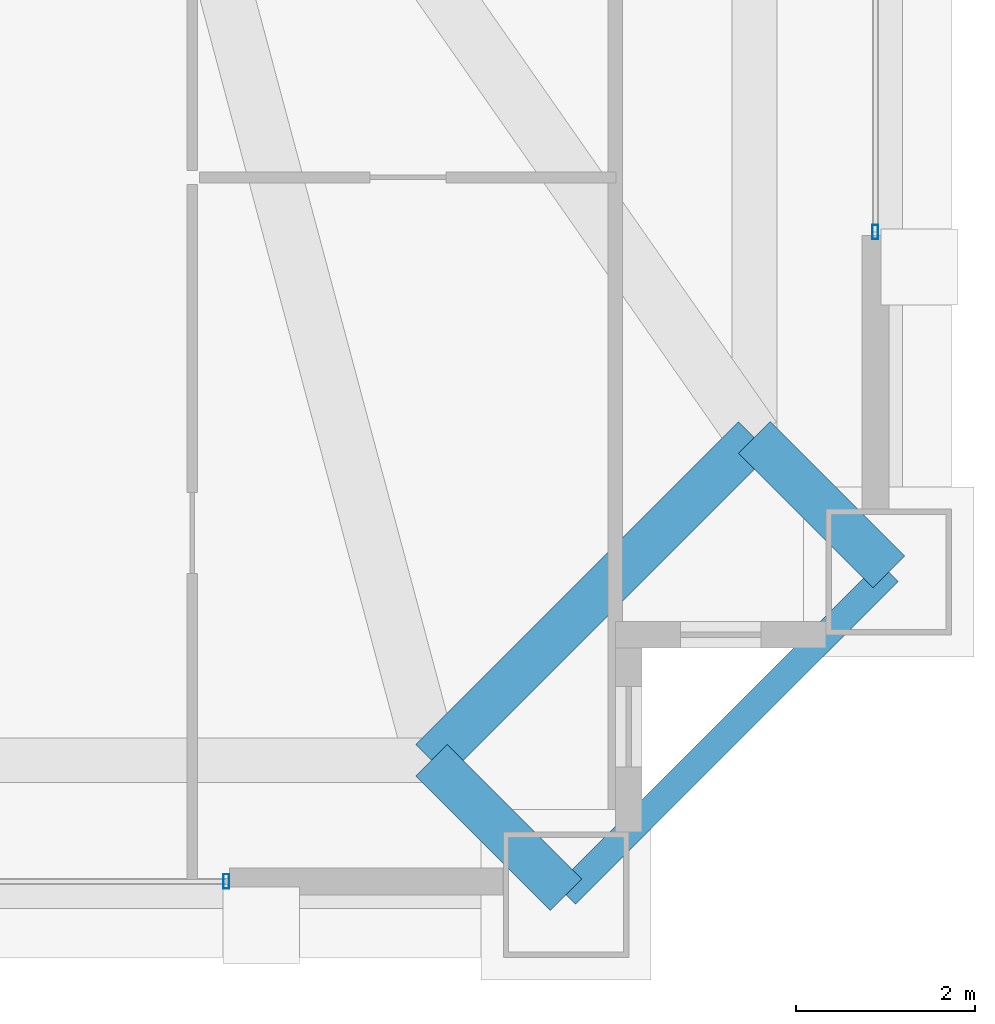
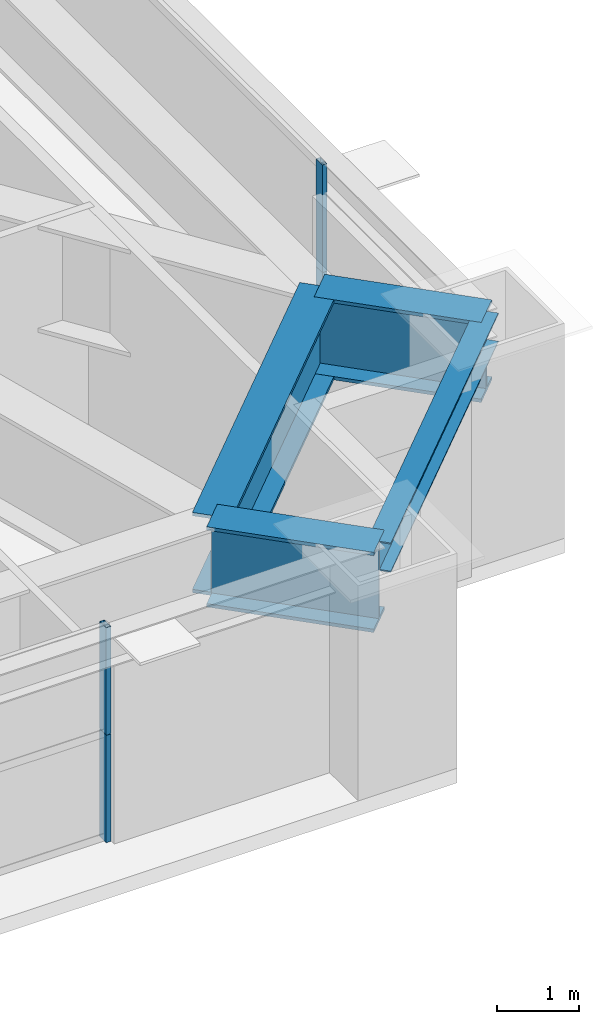
# One storey, part 16 of 39: 4 beams, 4 members, 2 elements without a shape of their own.
"""IFC4 building model written with IfcOpenShell, lengths in metres."""

from ifc_helpers import new_model, si_unit, direction, frame, origin, origin_2d, place, context, subcontext, project, spatial, hollow_rectangle, i_section, extrude, source, transform, mapped, material, layer, layer_set, material_profile, profile_set, type_object, element, aggregate, save


model = new_model("IFC4")

# Units and contexts
model_context = context("Model", 3, precision=1e-05, world=origin(), true_north=direction((0.0, 1.0)))
body_context = subcontext(model_context, "Body", "Model", "MODEL_VIEW")
ifc_project = project(units=[si_unit("LENGTHUNIT", "METRE"), si_unit("AREAUNIT", "SQUARE_METRE"), si_unit("VOLUMEUNIT", "CUBIC_METRE"), si_unit("PLANEANGLEUNIT", "RADIAN"), si_unit("MASSUNIT", "GRAM", prefix="KILO"), si_unit("THERMODYNAMICTEMPERATUREUNIT", "KELVIN"), si_unit("POWERUNIT", "WATT")], contexts=[model_context])

# Site, building, storey
site_placement = place(None, origin())
site = spatial("IfcSite", under=ifc_project, at=site_placement, CompositionType="ELEMENT")
building_placement = place(site_placement, origin())
building = spatial("IfcBuilding", under=site, at=building_placement, Name="Yuzanri Waterfront Tower", CompositionType="ELEMENT")
storey_placement = place(building_placement, frame((0.0, 0.0, 216.0)))
storey = spatial("IfcBuildingStorey", under=building, at=storey_placement, Name="L57", CompositionType="ELEMENT", Elevation=216.0)

# Beams
ifc_material_1 = material(Name="Steel Q420GJC", Category="steel")
ifc_material_profile_1 = material_profile(ifc_material_1, i_section(OverallWidth=0.5, OverallDepth=1.199951171875, WebThickness=0.028076171875, FlangeThickness=0.050048828125, at=origin_2d()), Name="PG 1200x500x28x50")
ifc_profile_set_1 = profile_set([ifc_material_profile_1], Name="Steel Q420GJC")
beam_type_1 = type_object("IfcBeamType", Name="Setback Transfer Girder Q420GJC PG 1200x500", PredefinedType="USERDEFINED", material=ifc_profile_set_1)
shared_shape_1 = source(origin(), body_context, "Body", "SweptSolid", [
    extrude(i_section(OverallWidth=0.5, OverallDepth=1.199951171875, WebThickness=0.028076171875, FlangeThickness=0.050048828125, at=origin_2d()), origin(), (0.0, 0.0, 1.0), 2.121337890625),
])
for number, where, z_axis, x_axis, name in (
    (1, (54.0, 5.199951171875, 2.6201171875), (0.707106781187, -0.707106781187, 0.0), (0.707106781187, 0.707106781187, 0.0), "L57 Setback Step Transfer S3"),
    (2, (57.60009765625, 8.800048828125, 2.6201171875), (0.707106781187, -0.707106781187, 0.0), (0.707106781187, 0.707106781187, 0.0), "L57 Setback Step Transfer E1"),
):
    element("IfcBeam", number, at=place(storey_placement, frame(where, z_axis=z_axis, x_axis=x_axis)), inside=storey, type_object=beam_type_1, Name=name, ObjectType="GIRDER", PredefinedType="USERDEFINED", context=body_context, shape_type="MappedRepresentation", body=[
        mapped(shared_shape_1, transform((0.0, 0.0, 0.0), scale=1.0)),
    ])
shared_shape_2 = source(origin(), body_context, "Body", "SweptSolid", [
    extrude(i_section(OverallWidth=0.5, OverallDepth=1.199951171875, WebThickness=0.028076171875, FlangeThickness=0.050048828125, at=origin_2d()), origin(), (0.0, 0.0, 1.0), 5.09130859375),
])
beam_1_placement = place(storey_placement, frame((54.0, 5.199951171875, 2.6201171875), z_axis=(0.707106781187, 0.707106781187, 0.0), x_axis=(-0.707106781187, 0.707106781187, 0.0)))
element("IfcBeam", 3, at=beam_1_placement, inside=storey, type_object=beam_type_1, Name="L57 Setback Upper Ring S3-E1", ObjectType="GIRDER", PredefinedType="USERDEFINED", context=body_context, shape_type="MappedRepresentation", body=[
    mapped(shared_shape_2, transform((0.0, 0.0, 0.0), scale=1.0)),
])
ifc_material_2 = material(Name="Steel Q355B", Category="steel")
ifc_material_profile_2 = material_profile(ifc_material_2, i_section(OverallWidth=0.300048828125, OverallDepth=0.43994140625, WebThickness=0.010986328125, FlangeThickness=0.01806640625, at=origin_2d()), Name="HM 440x300x11x18")
ifc_profile_set_2 = profile_set([ifc_material_profile_2], Name="Steel Q355B")
beam_type_2 = type_object("IfcBeamType", Name="Perimeter Spandrel Q355B HM 440x300", PredefinedType="SPANDREL", material=ifc_profile_set_2)
shared_shape_3 = source(origin(), body_context, "Body", "SweptSolid", [
    extrude(i_section(OverallWidth=0.300048828125, OverallDepth=0.43994140625, WebThickness=0.010986328125, FlangeThickness=0.01806640625, at=origin_2d()), origin(), (0.0, 0.0, 1.0), 5.09130859375),
])
beam_2_placement = place(storey_placement, frame((55.5, 3.699951171875, 3.0), z_axis=(0.707106781187, 0.707106781187, 0.0), x_axis=(-0.707106781187, 0.707106781187, 0.0)))
element("IfcBeam", 4, at=beam_2_placement, inside=storey, type_object=beam_type_2, Name="L57 Perimeter Spandrel S3-E1", PredefinedType="SPANDREL", context=body_context, shape_type="MappedRepresentation", body=[
    mapped(shared_shape_3, transform((0.0, 0.0, 0.0), scale=1.0)),
])

# Curtain wall, members
ifc_material_3 = material(Name="Anodized Architectural Bronze", Category="metal")
ifc_layer = layer(ifc_material_3, 0.159912109375)
ifc_layer_set = layer_set([ifc_layer], Name="Anodized Architectural Bronze")
curtain_wall_type = type_object("IfcCurtainWallType", Name="Anodized Bronze Mid-Rise Residential Acoustic Unitized Curtain Wall 7200", PredefinedType="NOTDEFINED", material=ifc_layer_set)
curtain_wall_1_placement = place(storey_placement, origin())
curtain_wall_1 = element("IfcCurtainWall", 5, at=curtain_wall_1_placement, inside=storey, type_object=curtain_wall_type, Name="L57 Curtain Wall CW-L57-SR", PredefinedType="NOTDEFINED")
ifc_material_4 = material(Name="Anodized Architectural Bronze", Category="metal")
ifc_material_profile_3 = material_profile(ifc_material_4, hollow_rectangle(XDim=0.06494140625, YDim=0.159912109375, WallThickness=0.00341796875, at=origin_2d()), Name="CWM 65x160")
ifc_profile_set_3 = profile_set([ifc_material_profile_3], Name="Anodized Architectural Bronze")
member_type = type_object("IfcMemberType", Name="Anodized Bronze Upper-Zone Curtain-Wall Mullion 65x160", PredefinedType="MULLION", material=ifc_profile_set_3)
shared_shape_4 = source(origin(), body_context, "Body", "SweptSolid", [
    extrude(hollow_rectangle(XDim=0.06494140625, YDim=0.159912109375, WallThickness=0.00341796875, at=origin_2d()), origin(), (0.0, 0.0, 1.0), 1.60791015625),
])
member_1_placement = place(storey_placement, frame((51.7099609375, 3.85009765625, 0.0), z_axis=(0.0, 0.0, 1.0), x_axis=(1.0, 0.0, 0.0)))
member_1 = element("IfcMember", 6, at=member_1_placement, type_object=member_type, Name="CW-L57-SR Lower Mullion 02", PredefinedType="MULLION", context=body_context, shape_type="MappedRepresentation", body=[
    mapped(shared_shape_4, transform((0.0, 0.0, 0.0), scale=1.0)),
])
member_2_placement = place(storey_placement, frame((51.7099609375, 3.85009765625, 1.612060546875), z_axis=(0.0, 0.0, 1.0), x_axis=(1.0, 0.0, 0.0)))
member_2 = element("IfcMember", 7, at=member_2_placement, type_object=member_type, Name="CW-L57-SR Upper Mullion 02", PredefinedType="MULLION", context=body_context, shape_type="MappedRepresentation", body=[
    mapped(shared_shape_4, transform((0.0, 0.0, 0.0), scale=1.0)),
])
aggregate(curtain_wall_1, [member_1, member_2])

curtain_wall_2_placement = place(storey_placement, origin())
curtain_wall_2 = element("IfcCurtainWall", 8, at=curtain_wall_2_placement, inside=storey, type_object=curtain_wall_type, Name="L57 Curtain Wall CW-L57-EL", PredefinedType="NOTDEFINED")
member_3_placement = place(storey_placement, frame((58.949951171875, 11.090087890625, 0.0), z_axis=(0.0, 0.0, 1.0), x_axis=(1.0, 0.0, 0.0)))
member_3 = element("IfcMember", 9, at=member_3_placement, type_object=member_type, Name="CW-L57-EL Lower Mullion 00", PredefinedType="MULLION", context=body_context, shape_type="MappedRepresentation", body=[
    mapped(shared_shape_4, transform((0.0, 0.0, 0.0), scale=1.0)),
])
member_4_placement = place(storey_placement, frame((58.949951171875, 11.090087890625, 1.612060546875), z_axis=(0.0, 0.0, 1.0), x_axis=(1.0, 0.0, 0.0)))
member_4 = element("IfcMember", 10, at=member_4_placement, type_object=member_type, Name="CW-L57-EL Upper Mullion 00", PredefinedType="MULLION", context=body_context, shape_type="MappedRepresentation", body=[
    mapped(shared_shape_4, transform((0.0, 0.0, 0.0), scale=1.0)),
])
aggregate(curtain_wall_2, [member_3, member_4])

save(model, "model.ifc")
